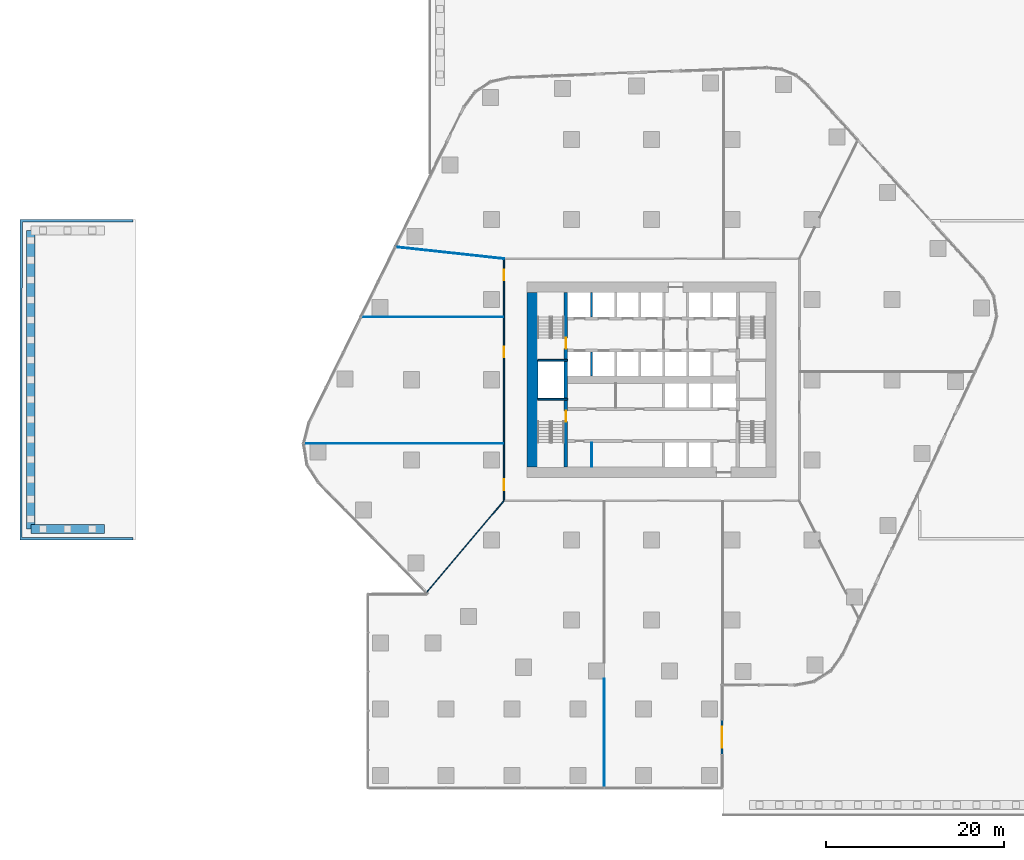
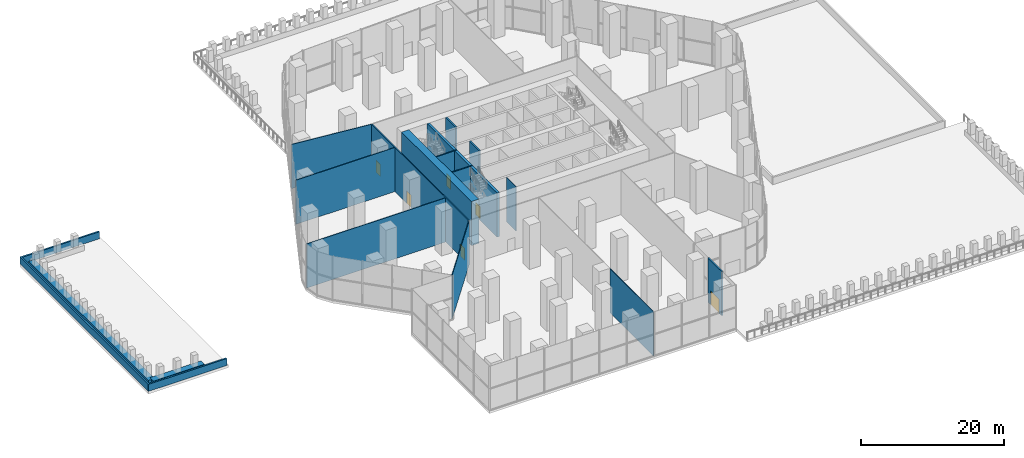
# One storey, part 13 of 22: 19 walls, 6 doors, 6 openings.
"""IFC4 building model written with IfcOpenShell, lengths in metres."""

from ifc_helpers import new_model, si_unit, direction, frame, frame_2d, origin, place, context, subcontext, project, spatial, polyline, rectangle, outline, extrude, material, layer, layer_set, type_object, element, fill, save


model = new_model("IFC4")

# Units and contexts
model_context = context("Model", 3, precision=1e-05, world=origin(), true_north=direction((0.0, 1.0)))
body_context = subcontext(model_context, "Body", "Model", "MODEL_VIEW")
ifc_project = project(units=[si_unit("LENGTHUNIT", "METRE"), si_unit("AREAUNIT", "SQUARE_METRE"), si_unit("VOLUMEUNIT", "CUBIC_METRE"), si_unit("PLANEANGLEUNIT", "RADIAN"), si_unit("MASSUNIT", "GRAM", prefix="KILO")], contexts=[model_context])

# Site, building, storey
site_placement = place(None, origin())
site = spatial("IfcSite", under=ifc_project, at=site_placement, CompositionType="ELEMENT")
building_placement = place(site_placement, origin())
building = spatial("IfcBuilding", under=site, at=building_placement, Name="Dongbaek Canopy Tower", CompositionType="ELEMENT")
storey_placement = place(building_placement, frame((0.0, 0.0, 19.0)))
storey = spatial("IfcBuildingStorey", under=building, at=storey_placement, Name="L02", CompositionType="ELEMENT", Elevation=19.0)

# Wall
ifc_material_1 = material(Name="Concrete C60/75", Category="concrete")
ifc_layer_1 = layer(ifc_material_1, 1.199951171875)
ifc_layer_set_1 = layer_set([ifc_layer_1], Name="Core outer wall 1200 Concrete C60/75")
wall_type_1 = type_object("IfcWallType", Name="Core outer wall 1200 Concrete C60/75", PredefinedType="SHEAR", material=ifc_layer_set_1)
wall_1_placement = place(storey_placement, frame((-13.39990234375, -9.800048828125, 0.0), z_axis=(0.0, 0.0, 1.0), x_axis=(0.0, 1.0, 0.0)))
element("IfcWall", 1, at=wall_1_placement, inside=storey, type_object=wall_type_1, Name="Core wall", PredefinedType="SHEAR", context=body_context, shape_type="SweptSolid", body=[
    extrude(rectangle(XDim=19.60009765625, YDim=1.199951171875, at=frame_2d((9.800048828125, 0.0))), origin(), (0.0, 0.0, 1.0), 7.550048828125),
])

# Wall, opening, door
ifc_material_2 = material(Name="Aluminium window wall", Category="aluminium")
ifc_layer_2 = layer(ifc_material_2, 0.199951171875)
ifc_layer_set_2 = layer_set([ifc_layer_2], Name="Entrance wall 200")
wall_type_2 = type_object("IfcWallType", Name="Entrance wall 200", PredefinedType="SOLIDWALL", material=ifc_layer_set_2)
wall_2_placement = place(storey_placement, frame((7.89990234375, -38.25341796875, 0.0), z_axis=(0.0, 0.0, 1.0), x_axis=(0.0, -1.0, 0.0)))
wall_2 = element("IfcWall", 2, at=wall_2_placement, inside=storey, type_object=wall_type_2, Name="Entrance wall L02 F8 2", PredefinedType="SOLIDWALL", context=body_context, shape_type="SweptSolid", body=[
    extrude(rectangle(XDim=3.873291015625, YDim=0.199951171875, at=frame_2d((1.9365234375, 0.0))), origin(), (0.0, 0.0, 1.0), 7.550048828125),
])
opening_1_placement = place(wall_2_placement, frame((0.736572265625, 0.0, 0.0)))
opening_1 = element("IfcOpeningElement", 3, at=opening_1_placement, cuts=wall_2, Name="Opening L02-T08", PredefinedType="OPENING", context=body_context, shape_type="SweptSolid", body=[
    extrude(rectangle(XDim=2.39990234375, YDim=2.39990234375, at=frame_2d((1.199951171875, 1.199951171875))), frame((0.0, 0.10986328125, 0.0), z_axis=(0.0, -1.0, 0.0), x_axis=(1.0, 0.0, 0.0)), (0.0, 0.0, 1.0), 0.219970703125),
])
ifc_material_3 = material(Name="Clear glazing in aluminium frame", Category="aluminium")
door_type_1 = type_object("IfcDoorType", Name="Entrance door ED1 2400 x 2400", OperationType="DOUBLE_DOOR_SINGLE_SWING", PredefinedType="DOOR", material=ifc_material_3)
door_1_placement = place(opening_1_placement, origin())
door_1 = element("IfcDoor", 4, at=door_1_placement, inside=storey, type_object=door_type_1, Name="Exterior door L02-T08", OperationType="SINGLE_SWING_LEFT", OverallHeight=2.39990234375, OverallWidth=2.39990234375, PredefinedType="DOOR", context=body_context, shape_type="SweptSolid", body=[
    extrude(rectangle(XDim=2.39990234375, YDim=2.39990234375, at=frame_2d((1.199951171875, 1.199951171875))), frame((0.0, 0.02490234375, 0.0), z_axis=(0.0, -1.0, 0.0), x_axis=(1.0, 0.0, 0.0)), (0.0, 0.0, 1.0), 0.050048828125),
])
fill(opening_1, door_1)

# Wall, openings, doors
ifc_material_4 = material(Name="Gypsum board partition, steel stud, 2 x 15 mm fire board", Category="steel")
ifc_layer_3 = layer(ifc_material_4, 0.14990234375)
ifc_layer_set_3 = layer_set([ifc_layer_3], Name="Fire-rated partition 150 gypsum board")
wall_type_3 = type_object("IfcWallType", Name="Fire-rated partition 150 gypsum board", PredefinedType="PARTITIONING", material=ifc_layer_set_3)
wall_3_placement = place(storey_placement, frame((-16.60009765625, -13.52490234375, 0.0), z_axis=(0.0, 0.0, 1.0), x_axis=(0.0, 1.0, 0.0)))
wall_3 = element("IfcWall", 5, at=wall_3_placement, inside=storey, type_object=wall_type_3, Name="Corridor partition", PredefinedType="PARTITIONING", context=body_context, shape_type="SweptSolid", body=[
    extrude(rectangle(XDim=27.0498046875, YDim=0.14990234375, at=frame_2d((13.52490234375, 0.0))), origin(), (0.0, 0.0, 1.0), 7.550048828125),
])
opening_2_placement = place(wall_3_placement, frame((16.02783203125, 0.0, 0.0)))
opening_2 = element("IfcOpeningElement", 6, at=opening_2_placement, cuts=wall_3, Name="Opening L02-D001", PredefinedType="OPENING", context=body_context, shape_type="SweptSolid", body=[
    extrude(rectangle(XDim=1.199951171875, YDim=2.10009765625, at=frame_2d((0.60009765625, 1.050048828125))), frame((0.0, 0.0849609375, 0.0), z_axis=(0.0, -1.0, 0.0), x_axis=(1.0, 0.0, 0.0)), (0.0, 0.0, 1.0), 0.169921875),
])
opening_3_placement = place(wall_3_placement, frame((1.121337890625, 0.0, 0.0)))
opening_3 = element("IfcOpeningElement", 7, at=opening_3_placement, cuts=wall_3, Name="Opening L02-D002", PredefinedType="OPENING", context=body_context, shape_type="SweptSolid", body=[
    extrude(rectangle(XDim=1.199951171875, YDim=2.10009765625, at=frame_2d((0.60009765625, 1.050048828125))), frame((0.0, 0.0849609375, 0.0), z_axis=(0.0, -1.0, 0.0), x_axis=(1.0, 0.0, 0.0)), (0.0, 0.0, 1.0), 0.169921875),
])
opening_4_placement = place(wall_3_placement, frame((24.705078125, 0.0, 0.0)))
opening_4 = element("IfcOpeningElement", 8, at=opening_4_placement, cuts=wall_3, Name="Opening L02-D010", PredefinedType="OPENING", context=body_context, shape_type="SweptSolid", body=[
    extrude(rectangle(XDim=1.199951171875, YDim=2.10009765625, at=frame_2d((0.60009765625, 1.050048828125))), frame((0.0, 0.0849609375, 0.0), z_axis=(0.0, -1.0, 0.0), x_axis=(1.0, 0.0, 0.0)), (0.0, 0.0, 1.0), 0.169921875),
])
ifc_material_5 = material(Name="Timber veneered door leaf", Category="wood")
door_type_2 = type_object("IfcDoorType", Name="Room door 1200 x 2100", OperationType="SINGLE_SWING_LEFT", PredefinedType="DOOR", material=ifc_material_5)
door_2_placement = place(opening_2_placement, origin())
door_2 = element("IfcDoor", 9, at=door_2_placement, inside=storey, type_object=door_type_2, Name="Door L02-D001", OperationType="SINGLE_SWING_RIGHT", OverallHeight=2.10009765625, OverallWidth=1.199951171875, PredefinedType="DOOR", context=body_context, shape_type="SweptSolid", body=[
    extrude(rectangle(XDim=1.199951171875, YDim=2.10009765625, at=frame_2d((0.60009765625, 1.050048828125))), frame((0.0, 0.02490234375, 0.0), z_axis=(0.0, -1.0, 0.0), x_axis=(1.0, 0.0, 0.0)), (0.0, 0.0, 1.0), 0.050048828125),
])
fill(opening_2, door_2)
door_3_placement = place(opening_3_placement, origin())
door_3 = element("IfcDoor", 10, at=door_3_placement, inside=storey, type_object=door_type_2, Name="Door L02-D002", OperationType="SINGLE_SWING_LEFT", OverallHeight=2.10009765625, OverallWidth=1.199951171875, PredefinedType="DOOR", context=body_context, shape_type="SweptSolid", body=[
    extrude(rectangle(XDim=1.199951171875, YDim=2.10009765625, at=frame_2d((0.60009765625, 1.050048828125))), frame((0.0, 0.02490234375, 0.0), z_axis=(0.0, -1.0, 0.0), x_axis=(1.0, 0.0, 0.0)), (0.0, 0.0, 1.0), 0.050048828125),
])
fill(opening_3, door_3)
door_4_placement = place(opening_4_placement, origin())
door_4 = element("IfcDoor", 11, at=door_4_placement, inside=storey, type_object=door_type_2, Name="Door L02-D010", OperationType="SINGLE_SWING_LEFT", OverallHeight=2.10009765625, OverallWidth=1.199951171875, PredefinedType="DOOR", context=body_context, shape_type="SweptSolid", body=[
    extrude(rectangle(XDim=1.199951171875, YDim=2.10009765625, at=frame_2d((0.60009765625, 1.050048828125))), frame((0.0, 0.02490234375, 0.0), z_axis=(0.0, -1.0, 0.0), x_axis=(1.0, 0.0, 0.0)), (0.0, 0.0, 1.0), 0.050048828125),
])
fill(opening_4, door_4)

# Walls
ifc_material_6 = material(Name="Concrete C40/50", Category="concrete")
ifc_layer_4 = layer(ifc_material_6, 0.25)
ifc_layer_set_4 = layer_set([ifc_layer_4], Name="Lift shaft wall 250 Concrete C40/50")
wall_type_4 = type_object("IfcWallType", Name="Lift shaft wall 250 Concrete C40/50", PredefinedType="SOLIDWALL", material=ifc_layer_set_4)
for number, where, z_axis, x_axis, name in (
    (12, (-6.75, 0.39990234375, 0.0), (0.0, 0.0, 1.0), (0.0, 1.0, 0.0), "Lift shaft wall"),
    (13, (-6.75, 7.074951171875, 0.0), (0.0, 0.0, 1.0), (0.0, 1.0, 0.0), "Lift shaft wall"),
):
    element("IfcWall", number, at=place(storey_placement, frame(where, z_axis=z_axis, x_axis=x_axis)), inside=storey, type_object=wall_type_4, Name=name, PredefinedType="SOLIDWALL", context=body_context, shape_type="SweptSolid", body=[
        extrude(rectangle(XDim=2.72509765625, YDim=0.25, at=frame_2d((1.362548828125, 0.0))), origin(), (0.0, 0.0, 1.0), 7.550048828125),
    ])
ifc_material_7 = material(Name="Precast concrete C40/50 with pale metal coping", Category="concrete")
ifc_layer_5 = layer(ifc_material_7, 0.25)
ifc_layer_set_5 = layer_set([ifc_layer_5], Name="Parapet 250")
wall_type_5 = type_object("IfcWallType", Name="Parapet 250", PredefinedType="PARAPET", material=ifc_layer_set_5)
wall_4_placement = place(storey_placement, origin())
element("IfcWall", 14, at=wall_4_placement, inside=storey, type_object=wall_type_5, Name="Parapet L02 HW 1", PredefinedType="PARAPET", context=body_context, shape_type="SweptSolid", body=[
    extrude(outline(polyline([(-71.0, -17.949951171875), (-70.99609375, 17.96923828125), (-70.949951171875, 18.0), (-58.300048828125, 17.996337890625), (-58.300048828125, 17.746337890625), (-70.746337890625, 17.75), (-70.75, -17.75), (-58.300048828125, -17.75), (-58.300048828125, -18.0), (-70.949951171875, -18.0), (-70.9853515625, -17.9853515625), (-71.0, -17.949951171875)])), origin(), (0.0, 0.0, 1.0), 1.199951171875),
])
ifc_material_8 = material(Name="Gypsum board partition, steel stud, 2 x 12.5 mm board", Category="steel")
ifc_layer_6 = layer(ifc_material_8, 0.10009765625)
ifc_layer_set_6 = layer_set([ifc_layer_6], Name="Partition 100 gypsum board")
wall_type_6 = type_object("IfcWallType", Name="Partition 100 gypsum board", PredefinedType="PARTITIONING", material=ifc_layer_set_6)
wall_5_placement = place(storey_placement, frame((-39.139892578125, -7.16796875, 0.0), z_axis=(0.0, 0.0, 1.0), x_axis=(1.0, 0.0, 0.0)))
element("IfcWall", 15, at=wall_5_placement, inside=storey, type_object=wall_type_6, Name="Partition", PredefinedType="PARTITIONING", context=body_context, shape_type="SweptSolid", body=[
    extrude(rectangle(XDim=22.46484375, YDim=0.10009765625, at=frame_2d((11.232421875, 0.0))), origin(), (0.0, 0.0, 1.0), 7.550048828125),
])
wall_6_placement = place(storey_placement, frame((-32.6953125, 7.051025390625, 0.0), z_axis=(0.0, 0.0, 1.0), x_axis=(1.0, 0.0, 0.0)))
element("IfcWall", 16, at=wall_6_placement, inside=storey, type_object=wall_type_6, Name="Partition", PredefinedType="PARTITIONING", context=body_context, shape_type="SweptSolid", body=[
    extrude(rectangle(XDim=16.020263671875, YDim=0.10009765625, at=frame_2d((8.01025390625, 0.0))), origin(), (0.0, 0.0, 1.0), 7.550048828125),
])
wall_7_placement = place(storey_placement, frame((-25.304443359375, -23.907958984375, 0.0), z_axis=(0.0, 0.0, 1.0), x_axis=(0.645188329464, 0.764023572623, 0.0)))
element("IfcWall", 17, at=wall_7_placement, inside=storey, type_object=wall_type_6, Name="Partition", PredefinedType="PARTITIONING", context=body_context, shape_type="SweptSolid", body=[
    extrude(rectangle(XDim=13.491455078125, YDim=0.10009765625, at=frame_2d((6.74560546875, 0.0))), origin(), (0.0, 0.0, 1.0), 7.550048828125),
])
wall_8_placement = place(storey_placement, frame((-5.3330078125, -45.8798828125, 0.0), z_axis=(0.0, 0.0, 1.0), x_axis=(0.0, 1.0, 0.0)))
element("IfcWall", 18, at=wall_8_placement, inside=storey, type_object=wall_type_6, Name="Partition", PredefinedType="PARTITIONING", context=body_context, shape_type="SweptSolid", body=[
    extrude(rectangle(XDim=12.262939453125, YDim=0.10009765625, at=frame_2d((6.13134765625, 0.0))), origin(), (0.0, 0.0, 1.0), 7.550048828125),
])
wall_9_placement = place(storey_placement, frame((-28.819091796875, 14.931396484375, 0.0), z_axis=(0.0, 0.0, 1.0), x_axis=(0.994112645196, -0.108351505116, 0.0)))
element("IfcWall", 19, at=wall_9_placement, inside=storey, type_object=wall_type_6, Name="Partition", PredefinedType="PARTITIONING", context=body_context, shape_type="SweptSolid", body=[
    extrude(rectangle(XDim=12.291259765625, YDim=0.10009765625, at=frame_2d((6.1455078125, 0.0))), origin(), (0.0, 0.0, 1.0), 7.550048828125),
])
wall_10_placement = place(storey_placement, frame((-6.75, -9.800048828125, 0.0), z_axis=(0.0, 0.0, 1.0), x_axis=(0.0, 1.0, 0.0)))
element("IfcWall", 20, at=wall_10_placement, inside=storey, type_object=wall_type_6, Name="Core partition", PredefinedType="PARTITIONING", context=body_context, shape_type="SweptSolid", body=[
    extrude(rectangle(XDim=2.72509765625, YDim=0.10009765625, at=frame_2d((1.362548828125, 0.0))), origin(), (0.0, 0.0, 1.0), 7.550048828125),
])
ifc_material_9 = material(Name="Precast concrete C40/50 planter", Category="concrete")
ifc_layer_7 = layer(ifc_material_9, 1.0)
ifc_layer_set_7 = layer_set([ifc_layer_7], Name="Podium planter trough 1000")
wall_type_7 = type_object("IfcWallType", Name="Podium planter trough 1000", PredefinedType="SOLIDWALL", material=ifc_layer_set_7)
wall_11_placement = place(storey_placement, frame((-69.789794921875, -16.7900390625, 0.0), z_axis=(0.0, 0.0, 1.0), x_axis=(0.00010178709, 0.99999999482, 0.0)))
element("IfcWall", 21, at=wall_11_placement, inside=storey, type_object=wall_type_7, Name="Podium planter 6", PredefinedType="SOLIDWALL", context=body_context, shape_type="SweptSolid", body=[
    extrude(rectangle(XDim=33.57958984375, YDim=1.0, at=frame_2d((16.789794921875, 0.0))), origin(), (0.0, 0.0, 1.0), 0.89990234375),
])
wall_12_placement = place(storey_placement, frame((-61.5, -16.7900390625, 0.0), z_axis=(0.0, 0.0, 1.0), x_axis=(-1.0, 0.0, 0.0)))
element("IfcWall", 22, at=wall_12_placement, inside=storey, type_object=wall_type_7, Name="Podium planter 8", PredefinedType="SOLIDWALL", context=body_context, shape_type="SweptSolid", body=[
    extrude(rectangle(XDim=8.289794921875, YDim=1.0, at=frame_2d((4.14501953125, 0.0))), origin(), (0.0, 0.0, 1.0), 0.89990234375),
])
ifc_material_10 = material(Name="Concrete C60/75", Category="concrete")
ifc_layer_8 = layer(ifc_material_10, 0.199951171875)
ifc_layer_set_8 = layer_set([ifc_layer_8], Name="Riser wall 200 Concrete C60/75")
wall_type_8 = type_object("IfcWallType", Name="Riser wall 200 Concrete C60/75", PredefinedType="SHEAR", material=ifc_layer_set_8)
for number, where, z_axis, x_axis, name in (
    (23, (-9.449951171875, 2.199951171875, 0.0), (0.0, 0.0, 1.0), (-1.0, 0.0, 0.0), "Riser wall"),
    (24, (-9.449951171875, -2.199951171875, 0.0), (0.0, 0.0, 1.0), (-1.0, 0.0, 0.0), "Riser wall"),
):
    element("IfcWall", number, at=place(storey_placement, frame(where, z_axis=z_axis, x_axis=x_axis)), inside=storey, type_object=wall_type_8, Name=name, PredefinedType="SHEAR", context=body_context, shape_type="SweptSolid", body=[
        extrude(rectangle(XDim=3.35009765625, YDim=0.199951171875, at=frame_2d((1.675048828125, 0.0))), origin(), (0.0, 0.0, 1.0), 7.550048828125),
    ])

# Wall, opening, door
ifc_material_11 = material(Name="Concrete C60/75", Category="concrete")
ifc_layer_9 = layer(ifc_material_11, 0.39990234375)
ifc_layer_set_9 = layer_set([ifc_layer_9], Name="Stair wall 400 Concrete C60/75")
wall_type_9 = type_object("IfcWallType", Name="Stair wall 400 Concrete C60/75", PredefinedType="SHEAR", material=ifc_layer_set_9)
wall_13_placement = place(storey_placement, frame((-9.64990234375, -9.800048828125, 0.0), z_axis=(0.0, 0.0, 1.0), x_axis=(0.0, 1.0, 0.0)))
wall_13 = element("IfcWall", 25, at=wall_13_placement, inside=storey, type_object=wall_type_9, Name="Stair wall", PredefinedType="SHEAR", context=body_context, shape_type="SweptSolid", body=[
    extrude(rectangle(XDim=7.5, YDim=0.39990234375, at=frame_2d((3.75, 0.0))), origin(), (0.0, 0.0, 1.0), 7.550048828125),
])
opening_5_placement = place(wall_13_placement, frame((5.10009765625, 0.0, 0.0)))
opening_5 = element("IfcOpeningElement", 26, at=opening_5_placement, cuts=wall_13, Name="Opening L02-D037", PredefinedType="OPENING", context=body_context, shape_type="SweptSolid", body=[
    extrude(rectangle(XDim=1.199951171875, YDim=2.10009765625, at=frame_2d((0.60009765625, 1.050048828125))), frame((0.0, 0.2099609375, 0.0), z_axis=(0.0, -1.0, 0.0), x_axis=(1.0, 0.0, 0.0)), (0.0, 0.0, 1.0), 0.419921875),
])
ifc_material_12 = material(Name="Steel", Category="steel")
door_type_3 = type_object("IfcDoorType", Name="Stair door 1200 x 2100", OperationType="SINGLE_SWING_LEFT", PredefinedType="DOOR", material=ifc_material_12)
door_5_placement = place(opening_5_placement, origin())
door_5 = element("IfcDoor", 27, at=door_5_placement, inside=storey, type_object=door_type_3, Name="Stair D door", OperationType="SINGLE_SWING_LEFT", OverallHeight=2.10009765625, OverallWidth=1.199951171875, PredefinedType="DOOR", context=body_context, shape_type="SweptSolid", body=[
    extrude(rectangle(XDim=1.199951171875, YDim=2.10009765625, at=frame_2d((0.60009765625, 1.050048828125))), frame((0.0, 0.02490234375, 0.0), z_axis=(0.0, -1.0, 0.0), x_axis=(1.0, 0.0, 0.0)), (0.0, 0.0, 1.0), 0.050048828125),
])
fill(opening_5, door_5)

# Wall
wall_14_placement = place(storey_placement, frame((-9.64990234375, -2.10009765625, 0.0), z_axis=(0.0, 0.0, 1.0), x_axis=(0.0, 1.0, 0.0)))
element("IfcWall", 28, at=wall_14_placement, inside=storey, type_object=wall_type_9, Name="Stair wall", PredefinedType="SHEAR", context=body_context, shape_type="SweptSolid", body=[
    extrude(rectangle(XDim=4.2001953125, YDim=0.39990234375, at=frame_2d((2.10009765625, 0.0))), origin(), (0.0, 0.0, 1.0), 7.550048828125),
])

# Wall, opening, door
wall_15_placement = place(storey_placement, frame((-9.64990234375, 2.300048828125, 0.0), z_axis=(0.0, 0.0, 1.0), x_axis=(0.0, 1.0, 0.0)))
wall_15 = element("IfcWall", 29, at=wall_15_placement, inside=storey, type_object=wall_type_9, Name="Stair wall", PredefinedType="SHEAR", context=body_context, shape_type="SweptSolid", body=[
    extrude(rectangle(XDim=7.5, YDim=0.39990234375, at=frame_2d((3.75, 0.0))), origin(), (0.0, 0.0, 1.0), 7.550048828125),
])
opening_6_placement = place(wall_15_placement, frame((1.199951171875, 0.0, 0.0)))
opening_6 = element("IfcOpeningElement", 30, at=opening_6_placement, cuts=wall_15, Name="Opening L02-D035", PredefinedType="OPENING", context=body_context, shape_type="SweptSolid", body=[
    extrude(rectangle(XDim=1.199951171875, YDim=2.10009765625, at=frame_2d((0.60009765625, 1.050048828125))), frame((0.0, 0.2099609375, 0.0), z_axis=(0.0, -1.0, 0.0), x_axis=(1.0, 0.0, 0.0)), (0.0, 0.0, 1.0), 0.419921875),
])
door_6_placement = place(opening_6_placement, origin())
door_6 = element("IfcDoor", 31, at=door_6_placement, inside=storey, type_object=door_type_3, Name="Stair C door", OperationType="SINGLE_SWING_RIGHT", OverallHeight=2.10009765625, OverallWidth=1.199951171875, PredefinedType="DOOR", context=body_context, shape_type="SweptSolid", body=[
    extrude(rectangle(XDim=1.199951171875, YDim=2.10009765625, at=frame_2d((0.60009765625, 1.050048828125))), frame((0.0, 0.02490234375, 0.0), z_axis=(0.0, -1.0, 0.0), x_axis=(1.0, 0.0, 0.0)), (0.0, 0.0, 1.0), 0.050048828125),
])
fill(opening_6, door_6)

save(model, "model.ifc")
